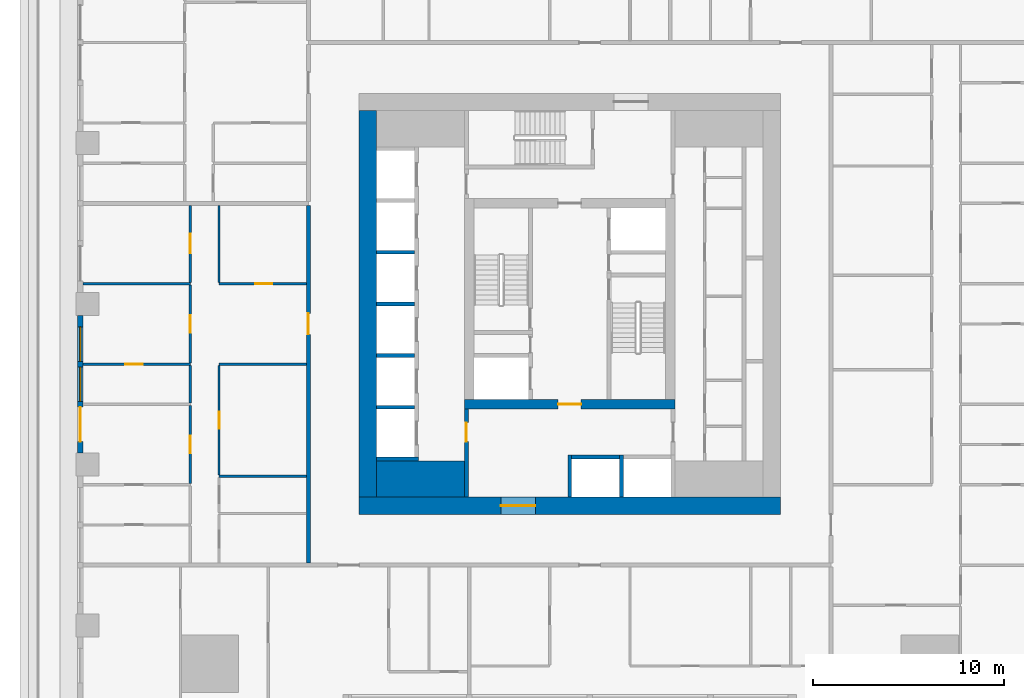
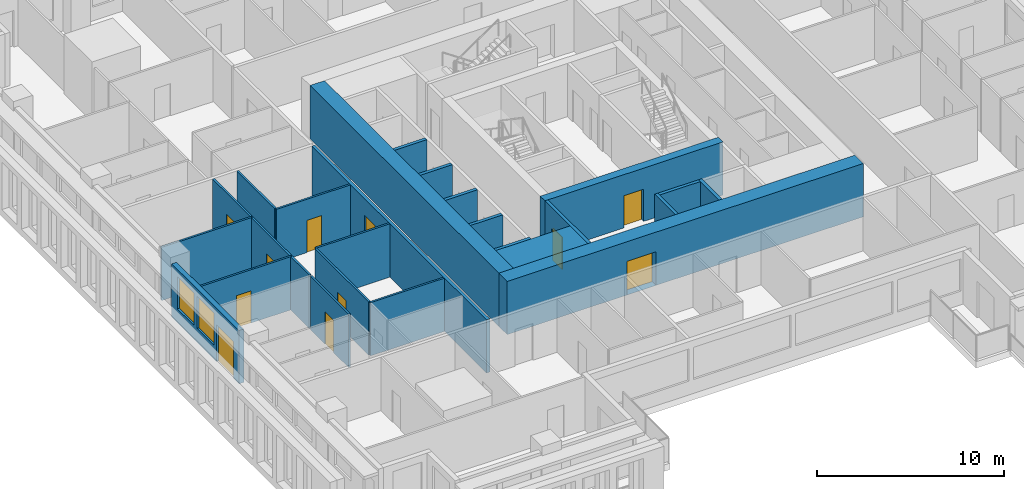
# One storey, part 3 of 15: 26 walls, 11 doors, 2 windows, 13 openings.
"""IFC4 building model written with IfcOpenShell, lengths in metres."""

from ifc_helpers import new_model, si_unit, direction, frame, frame_2d, origin, place, context, subcontext, project, spatial, rectangle, extrude, material, layer, layer_set, type_object, element, fill, save


model = new_model("IFC4")

# Units and contexts
model_context = context("Model", 3, precision=1e-05, world=origin(), true_north=direction((0.0, 1.0)))
body_context = subcontext(model_context, "Body", "Model", "MODEL_VIEW")
ifc_project = project(units=[si_unit("LENGTHUNIT", "METRE"), si_unit("AREAUNIT", "SQUARE_METRE"), si_unit("VOLUMEUNIT", "CUBIC_METRE"), si_unit("PLANEANGLEUNIT", "RADIAN"), si_unit("MASSUNIT", "GRAM", prefix="KILO")], contexts=[model_context])

# Site, building, storey
site_placement = place(None, origin())
site = spatial("IfcSite", under=ifc_project, at=site_placement, CompositionType="ELEMENT")
building_placement = place(site_placement, origin())
building = spatial("IfcBuilding", under=site, at=building_placement, Name="Khepri Terraces", CompositionType="ELEMENT")
storey_placement = place(building_placement, frame((0.0, 0.0, 58.199951171875)))
storey = spatial("IfcBuildingStorey", under=building, at=storey_placement, Name="L13", CompositionType="ELEMENT", Elevation=58.199951171875)

# Walls
ifc_material_1 = material(Name="Concrete C80/95", Category="concrete")
ifc_layer_1 = layer(ifc_material_1, 1.89990234375, Name="Concrete C80/95", Category="concrete")
ifc_layer_set_1 = layer_set([ifc_layer_1], Name="Concrete C80/95")
wall_type_1 = type_object("IfcWallType", Name="Core wall 1900 C80/95", PredefinedType="SHEAR", material=ifc_layer_set_1)
wall_1_placement = place(storey_placement, frame((-10.10009765625, -9.14990234375, 0.0), z_axis=(0.0, 0.0, 1.0), x_axis=(1.0, 0.0, 0.0)))
element("IfcWall", 1, at=wall_1_placement, inside=storey, type_object=wall_type_1, Name="Core wall PR01 L13", PredefinedType="SHEAR", context=body_context, shape_type="SweptSolid", body=[
    extrude(rectangle(XDim=4.60009765625, YDim=1.89990234375, at=frame_2d((2.300048828125, 0.0))), origin(), (0.0, 0.0, 1.0), 3.47998046875),
])
ifc_layer_2 = layer(ifc_material_1, 0.199951171875, Name="Concrete C80/95", Category="concrete")
ifc_layer_set_2 = layer_set([ifc_layer_2], Name="Concrete C80/95")
wall_type_2 = type_object("IfcWallType", Name="Core wall 200 C80/95", PredefinedType="SHEAR", material=ifc_layer_set_2)
for number, where, z_axis, x_axis, name in (
    (2, (0.0, -10.10009765625, 0.0), (0.0, 0.0, 1.0), (0.0, 1.0, 0.0), "Core wall SH01 L13"),
    (3, (2.699951171875, -10.10009765625, 0.0), (0.0, 0.0, 1.0), (0.0, 1.0, 0.0), "Core wall SH02 L13"),
    (4, (-10.10009765625, -8.10009765625, 0.0), (0.0, 0.0, 1.0), (1.0, 0.0, 0.0), "Core wall SH04 L13"),
):
    element("IfcWall", number, at=place(storey_placement, frame(where, z_axis=z_axis, x_axis=x_axis)), inside=storey, type_object=wall_type_2, Name=name, PredefinedType="SHEAR", context=body_context, shape_type="SweptSolid", body=[
        extrude(rectangle(XDim=2.2001953125, YDim=0.199951171875, at=frame_2d((1.10009765625, 0.0))), origin(), (0.0, 0.0, 1.0), 3.47998046875),
    ])
wall_2_placement = place(storey_placement, frame((0.10009765625, -8.0, 0.0), z_axis=(0.0, 0.0, 1.0), x_axis=(1.0, 0.0, 0.0)))
element("IfcWall", 5, at=wall_2_placement, inside=storey, type_object=wall_type_2, Name="Core wall SH06 L13", PredefinedType="SHEAR", context=body_context, shape_type="SweptSolid", body=[
    extrude(rectangle(XDim=2.5, YDim=0.199951171875, at=frame_2d((1.25, 0.0))), origin(), (0.0, 0.0, 1.0), 3.47998046875),
])
for number, where, z_axis, x_axis, name in (
    (6, (-10.10009765625, -5.39990234375, 0.0), (0.0, 0.0, 1.0), (1.0, 0.0, 0.0), "Core wall SH09 L13"),
    (7, (-10.10009765625, -2.699951171875, 0.0), (0.0, 0.0, 1.0), (1.0, 0.0, 0.0), "Core wall SH12 L13"),
    (8, (-10.10009765625, 0.0, 0.0), (0.0, 0.0, 1.0), (1.0, 0.0, 0.0), "Core wall SH14 L13"),
    (9, (-10.10009765625, 2.699951171875, 0.0), (0.0, 0.0, 1.0), (1.0, 0.0, 0.0), "Core wall SH17 L13"),
):
    element("IfcWall", number, at=place(storey_placement, frame(where, z_axis=z_axis, x_axis=x_axis)), inside=storey, type_object=wall_type_2, Name=name, PredefinedType="SHEAR", context=body_context, shape_type="SweptSolid", body=[
        extrude(rectangle(XDim=2.0, YDim=0.199951171875, at=frame_2d((1.0, 0.0))), origin(), (0.0, 0.0, 1.0), 3.47998046875),
    ])

# Wall, opening, door
ifc_layer_3 = layer(ifc_material_1, 0.5, Name="Concrete C80/95", Category="concrete")
ifc_layer_set_3 = layer_set([ifc_layer_3], Name="Concrete C80/95")
wall_type_3 = type_object("IfcWallType", Name="Core wall 500 C80/95", PredefinedType="SHEAR", material=ifc_layer_set_3)
wall_3_placement = place(storey_placement, frame((-5.5, -5.25, 0.0), z_axis=(0.0, 0.0, 1.0), x_axis=(1.0, 0.0, 0.0)))
wall_3 = element("IfcWall", 10, at=wall_3_placement, inside=storey, type_object=wall_type_3, Name="Core wall BX01 L13", PredefinedType="SHEAR", context=body_context, shape_type="SweptSolid", body=[
    extrude(rectangle(XDim=11.0, YDim=0.5, at=frame_2d((5.5, 0.0))), origin(), (0.0, 0.0, 1.0), 3.47998046875),
])
opening_1_placement = place(wall_3_placement, frame((4.89990234375, 0.0, 0.0)))
opening_1 = element("IfcOpeningElement", 11, at=opening_1_placement, cuts=wall_3, Name="Opening L13-C14", PredefinedType="OPENING", context=body_context, shape_type="SweptSolid", body=[
    extrude(rectangle(XDim=1.199951171875, YDim=2.10009765625, at=frame_2d((0.60009765625, 1.050048828125))), frame((0.0, 0.260009765625, 0.0), z_axis=(0.0, -1.0, 0.0), x_axis=(1.0, 0.0, 0.0)), (0.0, 0.0, 1.0), 0.52001953125),
])
ifc_material_2 = material(Name="Painted steel", Category="steel")
door_type_1 = type_object("IfcDoorType", Name="DR-CORE-FF-LOBBY-1200", OperationType="NOTDEFINED", PredefinedType="DOOR", material=ifc_material_2)
door_1_placement = place(opening_1_placement, origin())
door_1 = element("IfcDoor", 12, at=door_1_placement, inside=storey, type_object=door_type_1, Name="Firefighting lobby door L13-C14", OperationType="SINGLE_SWING_RIGHT", OverallHeight=2.10009765625, OverallWidth=1.199951171875, PredefinedType="DOOR", context=body_context, shape_type="SweptSolid", body=[
    extrude(rectangle(XDim=1.199951171875, YDim=2.10009765625, at=frame_2d((0.60009765625, 1.050048828125))), frame((0.0, 0.02490234375, 0.0), z_axis=(0.0, -1.0, 0.0), x_axis=(1.0, 0.0, 0.0)), (0.0, 0.0, 1.0), 0.050048828125),
])
fill(opening_1, door_1)

ifc_layer_4 = layer(ifc_material_1, 0.89990234375, Name="Concrete C80/95", Category="concrete")
ifc_layer_set_4 = layer_set([ifc_layer_4], Name="Concrete C80/95")
wall_type_4 = type_object("IfcWallType", Name="Core wall 900 C80/95", PredefinedType="SHEAR", material=ifc_layer_set_4)
wall_4_placement = place(storey_placement, frame((-11.0, -10.550048828125, 0.0), z_axis=(0.0, 0.0, 1.0), x_axis=(1.0, 0.0, 0.0)))
wall_4 = element("IfcWall", 13, at=wall_4_placement, inside=storey, type_object=wall_type_4, Name="Core wall OW-S L13", PredefinedType="SHEAR", context=body_context, shape_type="SweptSolid", body=[
    extrude(rectangle(XDim=22.0, YDim=0.89990234375, at=frame_2d((11.0, 0.0))), origin(), (0.0, 0.0, 1.0), 3.47998046875),
])
opening_2_placement = place(wall_4_placement, frame((7.39990234375, 0.0, 0.0)))
opening_2 = element("IfcOpeningElement", 14, at=opening_2_placement, cuts=wall_4, Name="Opening L13-C21", PredefinedType="OPENING", context=body_context, shape_type="SweptSolid", body=[
    extrude(rectangle(XDim=1.800048828125, YDim=2.199951171875, at=frame_2d((0.89990234375, 1.10009765625))), frame((0.0, 0.4599609375, 0.0), z_axis=(0.0, -1.0, 0.0), x_axis=(1.0, 0.0, 0.0)), (0.0, 0.0, 1.0), 0.919921875),
])
door_type_2 = type_object("IfcDoorType", Name="DR-CORE-ENTRANCE-1800", OperationType="NOTDEFINED", PredefinedType="DOOR", material=ifc_material_2)
door_2_placement = place(opening_2_placement, frame((1.800048828125, 0.0, 0.0), z_axis=(0.0, 0.0, 1.0), x_axis=(-1.0, 0.0, 0.0)))
door_2 = element("IfcDoor", 15, at=door_2_placement, inside=storey, type_object=door_type_2, Name="Core entrance door pair L13-C21", OperationType="DOUBLE_DOOR_SINGLE_SWING", OverallHeight=2.199951171875, OverallWidth=1.800048828125, PredefinedType="DOOR", context=body_context, shape_type="SweptSolid", body=[
    extrude(rectangle(XDim=1.800048828125, YDim=2.199951171875, at=frame_2d((0.89990234375, 1.10009765625))), frame((0.0, 0.02490234375, 0.0), z_axis=(0.0, -1.0, 0.0), x_axis=(1.0, 0.0, 0.0)), (0.0, 0.0, 1.0), 0.050048828125),
])
fill(opening_2, door_2)

# Wall
wall_5_placement = place(storey_placement, frame((-10.550048828125, -10.10009765625, 0.0), z_axis=(0.0, 0.0, 1.0), x_axis=(0.0, 1.0, 0.0)))
element("IfcWall", 16, at=wall_5_placement, inside=storey, type_object=wall_type_4, Name="Core wall OW-W L13", PredefinedType="SHEAR", context=body_context, shape_type="SweptSolid", body=[
    extrude(rectangle(XDim=20.2001953125, YDim=0.89990234375, at=frame_2d((10.10009765625, 0.0))), origin(), (0.0, 0.0, 1.0), 3.47998046875),
])

# Wall, opening, door
ifc_material_3 = material(Name="Fire-rated gypsum board partition")
ifc_layer_5 = layer(ifc_material_3, 0.199951171875, Name="Fire-rated gypsum board partition")
ifc_layer_set_5 = layer_set([ifc_layer_5], Name="Fire-rated gypsum board partition")
wall_type_5 = type_object("IfcWallType", Name="WL-CORE-PART-200", PredefinedType="PARTITIONING", material=ifc_layer_set_5)
wall_6_placement = place(storey_placement, frame((-5.39990234375, -10.10009765625, 0.0), z_axis=(0.0, 0.0, 1.0), x_axis=(0.0, 1.0, 0.0)))
wall_6 = element("IfcWall", 17, at=wall_6_placement, inside=storey, type_object=wall_type_5, Name="Core partition PT01 L13", PredefinedType="PARTITIONING", context=body_context, shape_type="SweptSolid", body=[
    extrude(rectangle(XDim=4.60009765625, YDim=0.199951171875, at=frame_2d((2.300048828125, 0.0))), origin(), (0.0, 0.0, 1.0), 3.47998046875),
])
opening_3_placement = place(wall_6_placement, frame((2.89990234375, 0.0, 0.0)))
opening_3 = element("IfcOpeningElement", 18, at=opening_3_placement, cuts=wall_6, Name="Opening L13-C18", PredefinedType="OPENING", context=body_context, shape_type="SweptSolid", body=[
    extrude(rectangle(XDim=1.0, YDim=2.10009765625, at=frame_2d((0.5, 1.050048828125))), frame((0.0, 0.10986328125, 0.0), z_axis=(0.0, -1.0, 0.0), x_axis=(1.0, 0.0, 0.0)), (0.0, 0.0, 1.0), 0.219970703125),
])
door_type_3 = type_object("IfcDoorType", Name="DR-CORE-LOBBY-1000", OperationType="NOTDEFINED", PredefinedType="DOOR", material=ifc_material_2)
door_3_placement = place(opening_3_placement, frame((1.0, 0.0, 0.0), z_axis=(0.0, 0.0, 1.0), x_axis=(-1.0, 0.0, 0.0)))
door_3 = element("IfcDoor", 19, at=door_3_placement, inside=storey, type_object=door_type_3, Name="Lobby door L13-C18", OperationType="SINGLE_SWING_LEFT", OverallHeight=2.10009765625, OverallWidth=1.0, PredefinedType="DOOR", context=body_context, shape_type="SweptSolid", body=[
    extrude(rectangle(XDim=1.0, YDim=2.10009765625, at=frame_2d((0.5, 1.050048828125))), frame((0.0, 0.02490234375, 0.0), z_axis=(0.0, -1.0, 0.0), x_axis=(1.0, 0.0, 0.0)), (0.0, 0.0, 1.0), 0.050048828125),
])
fill(opening_3, door_3)

ifc_material_4 = material(Name="Fire-rated gypsum plasterboard partition, mineral wool")
ifc_layer_6 = layer(ifc_material_4, 0.199951171875, Name="Fire-rated gypsum plasterboard partition, mineral wool")
ifc_layer_set_6 = layer_set([ifc_layer_6], Name="Fire-rated gypsum plasterboard partition, mineral wool")
wall_type_6 = type_object("IfcWallType", Name="WL-CORR-200", PredefinedType="PARTITIONING", material=ifc_layer_set_6)
wall_7_placement = place(storey_placement, frame((-13.64990234375, -13.550048828125, 0.0), z_axis=(0.0, 0.0, 1.0), x_axis=(0.0, 1.0, 0.0)))
wall_7 = element("IfcWall", 20, at=wall_7_placement, inside=storey, type_object=wall_type_6, Name="Partition P-023 L13", PredefinedType="PARTITIONING", context=body_context, shape_type="SweptSolid", body=[
    extrude(rectangle(XDim=18.699951171875, YDim=0.199951171875, at=frame_2d((9.35009765625, 0.0))), origin(), (0.0, 0.0, 1.0), 3.47998046875),
])
opening_4_placement = place(wall_7_placement, frame((11.949951171875, 0.0, 0.0)))
opening_4 = element("IfcOpeningElement", 21, at=opening_4_placement, cuts=wall_7, Name="Opening D1", PredefinedType="OPENING", context=body_context, shape_type="SweptSolid", body=[
    extrude(rectangle(XDim=1.10009765625, YDim=2.39990234375, at=frame_2d((0.550048828125, 1.199951171875))), frame((0.0, 0.10986328125, 0.0), z_axis=(0.0, -1.0, 0.0), x_axis=(1.0, 0.0, 0.0)), (0.0, 0.0, 1.0), 0.219970703125),
])
ifc_material_5 = material(Name="Solid-core timber door leaf, flat entrance door", Category="wood")
door_type_4 = type_object("IfcDoorType", Name="DR-ENT-1100", OperationType="NOTDEFINED", PredefinedType="DOOR", material=ifc_material_5)
door_4_placement = place(opening_4_placement, origin())
door_4 = element("IfcDoor", 22, at=door_4_placement, inside=storey, type_object=door_type_4, Name="Flat D2 entrance door", OperationType="SINGLE_SWING_RIGHT", OverallHeight=2.39990234375, OverallWidth=1.10009765625, PredefinedType="DOOR", context=body_context, shape_type="SweptSolid", body=[
    extrude(rectangle(XDim=1.10009765625, YDim=2.39990234375, at=frame_2d((0.550048828125, 1.199951171875))), frame((0.0, 0.02490234375, 0.0), z_axis=(0.0, -1.0, 0.0), x_axis=(1.0, 0.0, 0.0)), (0.0, 0.0, 1.0), 0.050048828125),
])
fill(opening_4, door_4)

# Wall, openings, door, windows
ifc_material_6 = material(Name="Precast concrete C50/60 warm stone", Category="masonry")
ifc_layer_7 = layer(ifc_material_6, 0.300048828125, Name="Precast concrete C50/60 warm stone", Category="masonry")
ifc_layer_set_7 = layer_set([ifc_layer_7], Name="Precast concrete C50/60 warm stone")
wall_type_7 = type_object("IfcWallType", Name="WL-EXT-PRECAST-300", PredefinedType="STANDARD", material=ifc_layer_set_7)
wall_8_placement = place(storey_placement, frame((-25.570068359375, -0.60009765625, 0.0), z_axis=(0.0, 0.0, 1.0), x_axis=(0.0, -1.0, 0.0)))
wall_8 = element("IfcWall", 23, at=wall_8_placement, inside=storey, type_object=wall_type_7, Name="External wall L13 W", PredefinedType="STANDARD", context=body_context, shape_type="SweptSolid", body=[
    extrude(rectangle(XDim=7.199951171875, YDim=0.300048828125, at=frame_2d((3.60009765625, 0.0))), origin(), (0.0, 0.0, 1.0), 3.47998046875),
])
opening_5_placement = place(wall_8_placement, frame((0.60009765625, 0.0, 0.89990234375)))
opening_5 = element("IfcOpeningElement", 24, at=opening_5_placement, cuts=wall_8, Name="Opening W1", PredefinedType="OPENING", context=body_context, shape_type="SweptSolid", body=[
    extrude(rectangle(XDim=1.800048828125, YDim=2.10009765625, at=frame_2d((0.89990234375, 1.050048828125))), frame((0.0, 0.16015625, 0.0), z_axis=(0.0, -1.0, 0.0), x_axis=(1.0, 0.0, 0.0)), (0.0, 0.0, 1.0), 0.320068359375),
])
opening_6_placement = place(wall_8_placement, frame((2.699951171875, 0.0, 0.89990234375)))
opening_6 = element("IfcOpeningElement", 25, at=opening_6_placement, cuts=wall_8, Name="Opening W1", PredefinedType="OPENING", context=body_context, shape_type="SweptSolid", body=[
    extrude(rectangle(XDim=1.800048828125, YDim=2.10009765625, at=frame_2d((0.89990234375, 1.050048828125))), frame((0.0, 0.16015625, 0.0), z_axis=(0.0, -1.0, 0.0), x_axis=(1.0, 0.0, 0.0)), (0.0, 0.0, 1.0), 0.320068359375),
])
opening_7_placement = place(wall_8_placement, frame((4.800048828125, 0.0, 0.0)))
opening_7 = element("IfcOpeningElement", 26, at=opening_7_placement, cuts=wall_8, Name="Opening ED-L13-15", PredefinedType="OPENING", context=body_context, shape_type="SweptSolid", body=[
    extrude(rectangle(XDim=1.800048828125, YDim=2.39990234375, at=frame_2d((0.89990234375, 1.199951171875))), frame((0.0, 0.16015625, 0.0), z_axis=(0.0, -1.0, 0.0), x_axis=(1.0, 0.0, 0.0)), (0.0, 0.0, 1.0), 0.320068359375),
])
ifc_material_7 = material(Name="Anodised aluminium bronze glazed door", Category="aluminium")
door_type_5 = type_object("IfcDoorType", Name="DR-BAL-SLIDE-1800x2400", OperationType="NOTDEFINED", PredefinedType="DOOR", material=ifc_material_7)
door_5_placement = place(opening_7_placement, origin())
door_5 = element("IfcDoor", 27, at=door_5_placement, inside=storey, type_object=door_type_5, Name="Balcony door L13 W", OperationType="SLIDING_TO_RIGHT", OverallHeight=2.39990234375, OverallWidth=1.800048828125, PredefinedType="DOOR", context=body_context, shape_type="SweptSolid", body=[
    extrude(rectangle(XDim=1.800048828125, YDim=2.39990234375, at=frame_2d((0.89990234375, 1.199951171875))), frame((0.0, 0.02490234375, 0.0), z_axis=(0.0, -1.0, 0.0), x_axis=(1.0, 0.0, 0.0)), (0.0, 0.0, 1.0), 0.050048828125),
])
fill(opening_7, door_5)
ifc_material_8 = material(Name="Clear glass", Category="glass")
window_type = type_object("IfcWindowType", Name="WIN-RES-1800x2100", PartitioningType="SINGLE_PANEL", PredefinedType="WINDOW", material=ifc_material_8)
window_1_placement = place(opening_5_placement, origin())
window_1 = element("IfcWindow", 28, at=window_1_placement, inside=storey, type_object=window_type, Name="Window L13 W", OverallHeight=2.10009765625, OverallWidth=1.800048828125, PartitioningType="SINGLE_PANEL", PredefinedType="WINDOW", context=body_context, shape_type="SweptSolid", body=[
    extrude(rectangle(XDim=1.800048828125, YDim=2.10009765625, at=frame_2d((0.89990234375, 1.050048828125))), frame((0.0, 0.030029296875, 0.0), z_axis=(0.0, -1.0, 0.0), x_axis=(1.0, 0.0, 0.0)), (0.0, 0.0, 1.0), 0.06005859375),
])
fill(opening_5, window_1)
window_2_placement = place(opening_6_placement, origin())
window_2 = element("IfcWindow", 29, at=window_2_placement, inside=storey, type_object=window_type, Name="Window L13 W", OverallHeight=2.10009765625, OverallWidth=1.800048828125, PartitioningType="SINGLE_PANEL", PredefinedType="WINDOW", context=body_context, shape_type="SweptSolid", body=[
    extrude(rectangle(XDim=1.800048828125, YDim=2.10009765625, at=frame_2d((0.89990234375, 1.050048828125))), frame((0.0, 0.030029296875, 0.0), z_axis=(0.0, -1.0, 0.0), x_axis=(1.0, 0.0, 0.0)), (0.0, 0.0, 1.0), 0.06005859375),
])
fill(opening_6, window_2)

# Wall, opening, door
ifc_material_9 = material(Name="Gypsum plasterboard partition")
ifc_layer_8 = layer(ifc_material_9, 0.1201171875, Name="Gypsum plasterboard partition")
ifc_layer_set_8 = layer_set([ifc_layer_8], Name="Gypsum plasterboard partition")
wall_type_8 = type_object("IfcWallType", Name="WL-PART-120", PredefinedType="PARTITIONING", material=ifc_layer_set_8)
wall_9_placement = place(storey_placement, frame((-19.820068359375, -9.389892578125, 0.0), z_axis=(0.0, 0.0, 1.0), x_axis=(0.0, 1.0, 0.0)))
wall_9 = element("IfcWall", 30, at=wall_9_placement, inside=storey, type_object=wall_type_8, Name="Partition P-032 L13", PredefinedType="PARTITIONING", context=body_context, shape_type="SweptSolid", body=[
    extrude(rectangle(XDim=4.079833984375, YDim=0.1201171875, at=frame_2d((2.0400390625, 0.0))), origin(), (0.0, 0.0, 1.0), 3.47998046875),
])
opening_8_placement = place(wall_9_placement, frame((1.590087890625, 0.0, 0.0)))
opening_8 = element("IfcOpeningElement", 31, at=opening_8_placement, cuts=wall_9, Name="Opening D3", PredefinedType="OPENING", context=body_context, shape_type="SweptSolid", body=[
    extrude(rectangle(XDim=0.89990234375, YDim=2.10009765625, at=frame_2d((0.449951171875, 1.050048828125))), frame((0.0, 0.070068359375, 0.0), z_axis=(0.0, -1.0, 0.0), x_axis=(1.0, 0.0, 0.0)), (0.0, 0.0, 1.0), 0.14013671875),
])
ifc_material_10 = material(Name="Timber door leaf", Category="wood")
door_type_6 = type_object("IfcDoorType", Name="DR-INT-900", OperationType="NOTDEFINED", PredefinedType="DOOR", material=ifc_material_10)
door_6_placement = place(opening_8_placement, origin())
door_6 = element("IfcDoor", 32, at=door_6_placement, inside=storey, type_object=door_type_6, Name="Door Master Bedroom", OperationType="SINGLE_SWING_RIGHT", OverallHeight=2.10009765625, OverallWidth=0.89990234375, PredefinedType="DOOR", context=body_context, shape_type="SweptSolid", body=[
    extrude(rectangle(XDim=0.89990234375, YDim=2.10009765625, at=frame_2d((0.449951171875, 1.050048828125))), frame((0.0, 0.02490234375, 0.0), z_axis=(0.0, -1.0, 0.0), x_axis=(1.0, 0.0, 0.0)), (0.0, 0.0, 1.0), 0.050048828125),
])
fill(opening_8, door_6)

# Wall
wall_10_placement = place(storey_placement, frame((-18.320068359375, -9.0, 0.0), z_axis=(0.0, 0.0, 1.0), x_axis=(1.0, 0.0, 0.0)))
element("IfcWall", 33, at=wall_10_placement, inside=storey, type_object=wall_type_8, Name="Partition P-035 L13", PredefinedType="PARTITIONING", context=body_context, shape_type="SweptSolid", body=[
    extrude(rectangle(XDim=4.570068359375, YDim=0.1201171875, at=frame_2d((2.28515625, 0.0))), origin(), (0.0, 0.0, 1.0), 3.47998046875),
])

# Wall, opening, door
wall_11_placement = place(storey_placement, frame((-18.320068359375, -8.93994140625, 0.0), z_axis=(0.0, 0.0, 1.0), x_axis=(0.0, 1.0, 0.0)))
wall_11 = element("IfcWall", 34, at=wall_11_placement, inside=storey, type_object=wall_type_8, Name="Partition P-036 L13", PredefinedType="PARTITIONING", context=body_context, shape_type="SweptSolid", body=[
    extrude(rectangle(XDim=5.72998046875, YDim=0.1201171875, at=frame_2d((2.864990234375, 0.0))), origin(), (0.0, 0.0, 1.0), 3.47998046875),
])
opening_9_placement = place(wall_11_placement, frame((2.4150390625, 0.0, 0.0)))
opening_9 = element("IfcOpeningElement", 35, at=opening_9_placement, cuts=wall_11, Name="Opening D3", PredefinedType="OPENING", context=body_context, shape_type="SweptSolid", body=[
    extrude(rectangle(XDim=0.89990234375, YDim=2.10009765625, at=frame_2d((0.449951171875, 1.050048828125))), frame((0.0, 0.070068359375, 0.0), z_axis=(0.0, -1.0, 0.0), x_axis=(1.0, 0.0, 0.0)), (0.0, 0.0, 1.0), 0.14013671875),
])
door_7_placement = place(opening_9_placement, frame((0.89990234375, 0.0, 0.0), z_axis=(0.0, 0.0, 1.0), x_axis=(-1.0, 0.0, 0.0)))
door_7 = element("IfcDoor", 36, at=door_7_placement, inside=storey, type_object=door_type_6, Name="Door Kitchen", OperationType="SINGLE_SWING_RIGHT", OverallHeight=2.10009765625, OverallWidth=0.89990234375, PredefinedType="DOOR", context=body_context, shape_type="SweptSolid", body=[
    extrude(rectangle(XDim=0.89990234375, YDim=2.10009765625, at=frame_2d((0.449951171875, 1.050048828125))), frame((0.0, 0.02490234375, 0.0), z_axis=(0.0, -1.0, 0.0), x_axis=(1.0, 0.0, 0.0)), (0.0, 0.0, 1.0), 0.050048828125),
])
fill(opening_9, door_7)

# Wall
wall_12_placement = place(storey_placement, frame((-19.820068359375, -5.18994140625, 0.0), z_axis=(0.0, 0.0, 1.0), x_axis=(0.0, 1.0, 0.0)))
element("IfcWall", 37, at=wall_12_placement, inside=storey, type_object=wall_type_8, Name="Partition P-041 L13", PredefinedType="PARTITIONING", context=body_context, shape_type="SweptSolid", body=[
    extrude(rectangle(XDim=1.97998046875, YDim=0.1201171875, at=frame_2d((0.989990234375, 0.0))), origin(), (0.0, 0.0, 1.0), 3.47998046875),
])

# Wall, opening, door
wall_13_placement = place(storey_placement, frame((-25.419921875, -3.14990234375, 0.0), z_axis=(0.0, 0.0, 1.0), x_axis=(1.0, 0.0, 0.0)))
wall_13 = element("IfcWall", 38, at=wall_13_placement, inside=storey, type_object=wall_type_8, Name="Partition P-045 L13", PredefinedType="PARTITIONING", context=body_context, shape_type="SweptSolid", body=[
    extrude(rectangle(XDim=5.599853515625, YDim=0.1201171875, at=frame_2d((2.7998046875, 0.0))), origin(), (0.0, 0.0, 1.0), 3.47998046875),
])
opening_10_placement = place(wall_13_placement, frame((2.199951171875, 0.0, 0.0)))
opening_10 = element("IfcOpeningElement", 39, at=opening_10_placement, cuts=wall_13, Name="Opening D4", PredefinedType="OPENING", context=body_context, shape_type="SweptSolid", body=[
    extrude(rectangle(XDim=0.89990234375, YDim=2.10009765625, at=frame_2d((0.449951171875, 1.050048828125))), frame((0.0, 0.070068359375, 0.0), z_axis=(0.0, -1.0, 0.0), x_axis=(1.0, 0.0, 0.0)), (0.0, 0.0, 1.0), 0.14013671875),
])
ifc_material_11 = material(Name="Timber door leaf, moisture resistant", Category="wood")
door_type_7 = type_object("IfcDoorType", Name="DR-WET-900", OperationType="NOTDEFINED", PredefinedType="DOOR", material=ifc_material_11)
door_8_placement = place(opening_10_placement, frame((0.89990234375, 0.0, 0.0), z_axis=(0.0, 0.0, 1.0), x_axis=(-1.0, 0.0, 0.0)))
door_8 = element("IfcDoor", 40, at=door_8_placement, inside=storey, type_object=door_type_7, Name="Door Bathroom", OperationType="SINGLE_SWING_RIGHT", OverallHeight=2.10009765625, OverallWidth=0.89990234375, PredefinedType="DOOR", context=body_context, shape_type="SweptSolid", body=[
    extrude(rectangle(XDim=0.89990234375, YDim=2.10009765625, at=frame_2d((0.449951171875, 1.050048828125))), frame((0.0, 0.02490234375, 0.0), z_axis=(0.0, -1.0, 0.0), x_axis=(1.0, 0.0, 0.0)), (0.0, 0.0, 1.0), 0.050048828125),
])
fill(opening_10, door_8)

# Wall
wall_14_placement = place(storey_placement, frame((-18.320068359375, -3.14990234375, 0.0), z_axis=(0.0, 0.0, 1.0), x_axis=(1.0, 0.0, 0.0)))
element("IfcWall", 41, at=wall_14_placement, inside=storey, type_object=wall_type_8, Name="Partition P-046 L13", PredefinedType="PARTITIONING", context=body_context, shape_type="SweptSolid", body=[
    extrude(rectangle(XDim=4.570068359375, YDim=0.1201171875, at=frame_2d((2.28515625, 0.0))), origin(), (0.0, 0.0, 1.0), 3.47998046875),
])

# Wall, opening, door
wall_15_placement = place(storey_placement, frame((-19.820068359375, -3.090087890625, 0.0), z_axis=(0.0, 0.0, 1.0), x_axis=(0.0, 1.0, 0.0)))
wall_15 = element("IfcWall", 42, at=wall_15_placement, inside=storey, type_object=wall_type_8, Name="Partition P-047 L13", PredefinedType="PARTITIONING", context=body_context, shape_type="SweptSolid", body=[
    extrude(rectangle(XDim=4.080078125, YDim=0.1201171875, at=frame_2d((2.0400390625, 0.0))), origin(), (0.0, 0.0, 1.0), 3.47998046875),
])
opening_11_placement = place(wall_15_placement, frame((1.590087890625, 0.0, 0.0)))
opening_11 = element("IfcOpeningElement", 43, at=opening_11_placement, cuts=wall_15, Name="Opening D3", PredefinedType="OPENING", context=body_context, shape_type="SweptSolid", body=[
    extrude(rectangle(XDim=0.89990234375, YDim=2.10009765625, at=frame_2d((0.449951171875, 1.050048828125))), frame((0.0, 0.070068359375, 0.0), z_axis=(0.0, -1.0, 0.0), x_axis=(1.0, 0.0, 0.0)), (0.0, 0.0, 1.0), 0.14013671875),
])
door_9_placement = place(opening_11_placement, origin())
door_9 = element("IfcDoor", 44, at=door_9_placement, inside=storey, type_object=door_type_6, Name="Door Bedroom", OperationType="SINGLE_SWING_RIGHT", OverallHeight=2.10009765625, OverallWidth=0.89990234375, PredefinedType="DOOR", context=body_context, shape_type="SweptSolid", body=[
    extrude(rectangle(XDim=0.89990234375, YDim=2.10009765625, at=frame_2d((0.449951171875, 1.050048828125))), frame((0.0, 0.02490234375, 0.0), z_axis=(0.0, -1.0, 0.0), x_axis=(1.0, 0.0, 0.0)), (0.0, 0.0, 1.0), 0.050048828125),
])
fill(opening_11, door_9)

# Wall
wall_16_placement = place(storey_placement, frame((-25.419921875, 1.050048828125, 0.0), z_axis=(0.0, 0.0, 1.0), x_axis=(1.0, 0.0, 0.0)))
element("IfcWall", 45, at=wall_16_placement, inside=storey, type_object=wall_type_8, Name="Partition P-050 L13", PredefinedType="PARTITIONING", context=body_context, shape_type="SweptSolid", body=[
    extrude(rectangle(XDim=5.599853515625, YDim=0.1201171875, at=frame_2d((2.7998046875, 0.0))), origin(), (0.0, 0.0, 1.0), 3.47998046875),
])

# Wall, opening, door
wall_17_placement = place(storey_placement, frame((-18.320068359375, 1.050048828125, 0.0), z_axis=(0.0, 0.0, 1.0), x_axis=(1.0, 0.0, 0.0)))
wall_17 = element("IfcWall", 46, at=wall_17_placement, inside=storey, type_object=wall_type_8, Name="Partition P-051 L13", PredefinedType="PARTITIONING", context=body_context, shape_type="SweptSolid", body=[
    extrude(rectangle(XDim=4.570068359375, YDim=0.1201171875, at=frame_2d((2.28515625, 0.0))), origin(), (0.0, 0.0, 1.0), 3.47998046875),
])
opening_12_placement = place(wall_17_placement, frame((1.885009765625, 0.0, 0.0)))
opening_12 = element("IfcOpeningElement", 47, at=opening_12_placement, cuts=wall_17, Name="Opening D3", PredefinedType="OPENING", context=body_context, shape_type="SweptSolid", body=[
    extrude(rectangle(XDim=0.89990234375, YDim=2.10009765625, at=frame_2d((0.449951171875, 1.050048828125))), frame((0.0, 0.070068359375, 0.0), z_axis=(0.0, -1.0, 0.0), x_axis=(1.0, 0.0, 0.0)), (0.0, 0.0, 1.0), 0.14013671875),
])
door_10_placement = place(opening_12_placement, origin())
door_10 = element("IfcDoor", 48, at=door_10_placement, inside=storey, type_object=door_type_6, Name="Door Staff Bedroom", OperationType="SINGLE_SWING_RIGHT", OverallHeight=2.10009765625, OverallWidth=0.89990234375, PredefinedType="DOOR", context=body_context, shape_type="SweptSolid", body=[
    extrude(rectangle(XDim=0.89990234375, YDim=2.10009765625, at=frame_2d((0.449951171875, 1.050048828125))), frame((0.0, 0.02490234375, 0.0), z_axis=(0.0, -1.0, 0.0), x_axis=(1.0, 0.0, 0.0)), (0.0, 0.0, 1.0), 0.050048828125),
])
fill(opening_12, door_10)

wall_18_placement = place(storey_placement, frame((-19.820068359375, 1.110107421875, 0.0), z_axis=(0.0, 0.0, 1.0), x_axis=(0.0, 1.0, 0.0)))
wall_18 = element("IfcWall", 49, at=wall_18_placement, inside=storey, type_object=wall_type_8, Name="Partition P-053 L13", PredefinedType="PARTITIONING", context=body_context, shape_type="SweptSolid", body=[
    extrude(rectangle(XDim=4.039794921875, YDim=0.1201171875, at=frame_2d((2.02001953125, 0.0))), origin(), (0.0, 0.0, 1.0), 3.47998046875),
])
opening_13_placement = place(wall_18_placement, frame((1.5400390625, 0.0, 0.0)))
opening_13 = element("IfcOpeningElement", 50, at=opening_13_placement, cuts=wall_18, Name="Opening D2", PredefinedType="OPENING", context=body_context, shape_type="SweptSolid", body=[
    extrude(rectangle(XDim=1.0, YDim=2.10009765625, at=frame_2d((0.5, 1.050048828125))), frame((0.0, 0.070068359375, 0.0), z_axis=(0.0, -1.0, 0.0), x_axis=(1.0, 0.0, 0.0)), (0.0, 0.0, 1.0), 0.14013671875),
])
ifc_material_12 = material(Name="Timber door leaf, living room door", Category="wood")
door_type_8 = type_object("IfcDoorType", Name="DR-INT-1000", OperationType="NOTDEFINED", PredefinedType="DOOR", material=ifc_material_12)
door_11_placement = place(opening_13_placement, origin())
door_11 = element("IfcDoor", 51, at=door_11_placement, inside=storey, type_object=door_type_8, Name="Door Living Room", OperationType="SINGLE_SWING_RIGHT", OverallHeight=2.10009765625, OverallWidth=1.0, PredefinedType="DOOR", context=body_context, shape_type="SweptSolid", body=[
    extrude(rectangle(XDim=1.0, YDim=2.10009765625, at=frame_2d((0.5, 1.050048828125))), frame((0.0, 0.02490234375, 0.0), z_axis=(0.0, -1.0, 0.0), x_axis=(1.0, 0.0, 0.0)), (0.0, 0.0, 1.0), 0.050048828125),
])
fill(opening_13, door_11)

# Wall
wall_19_placement = place(storey_placement, frame((-18.320068359375, 1.110107421875, 0.0), z_axis=(0.0, 0.0, 1.0), x_axis=(0.0, 1.0, 0.0)))
element("IfcWall", 52, at=wall_19_placement, inside=storey, type_object=wall_type_8, Name="Partition P-054 L13", PredefinedType="PARTITIONING", context=body_context, shape_type="SweptSolid", body=[
    extrude(rectangle(XDim=4.039794921875, YDim=0.1201171875, at=frame_2d((2.02001953125, 0.0))), origin(), (0.0, 0.0, 1.0), 3.47998046875),
])

save(model, "model.ifc")
